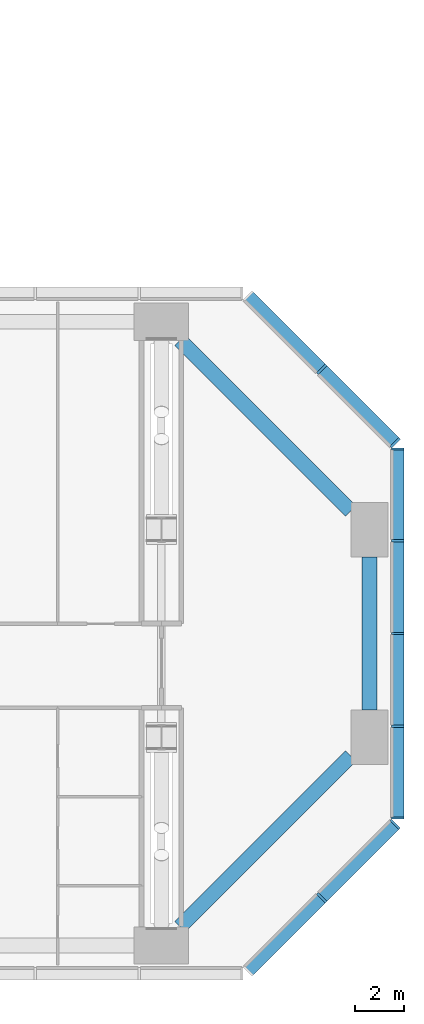
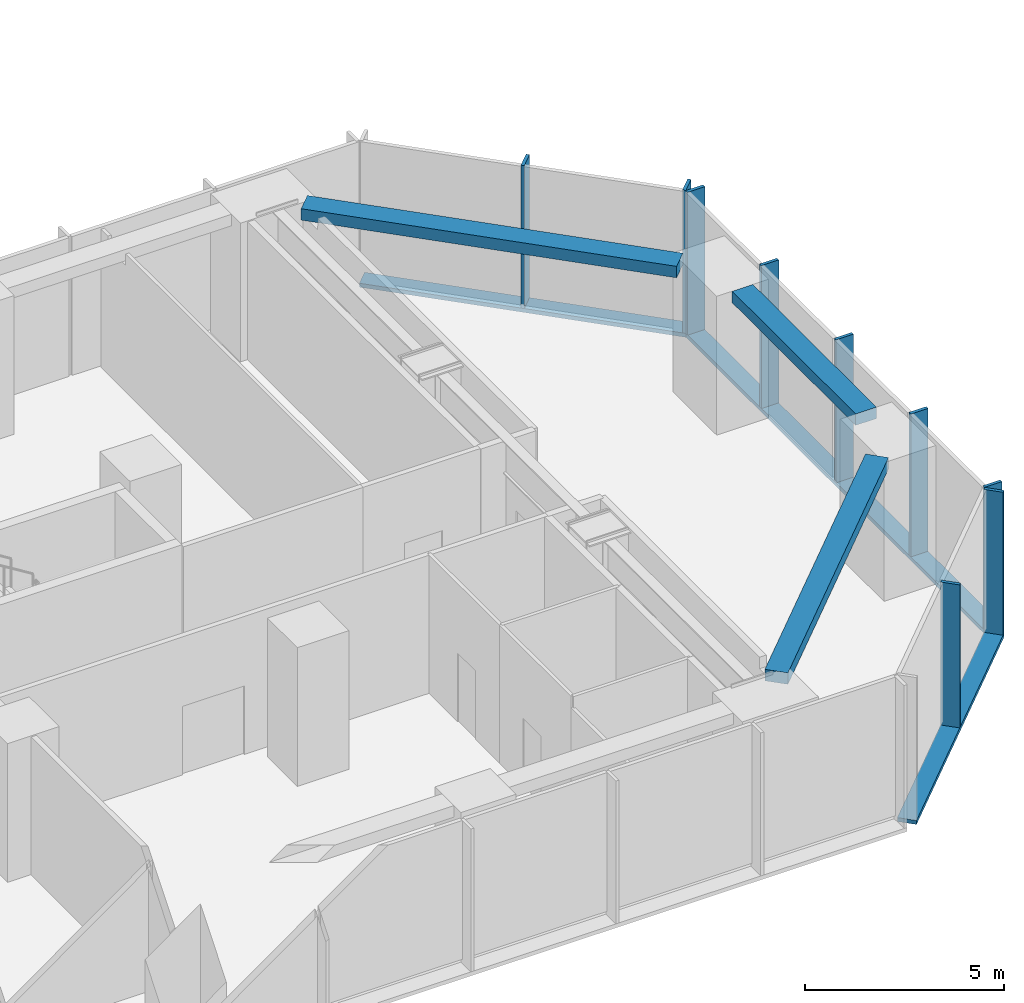
# One storey, part 5 of 18: 12 members, 3 beams, 3 elements without a shape of their own.
"""IFC4 building model written with IfcOpenShell, lengths in metres."""

from ifc_helpers import new_model, si_unit, direction, frame, origin, origin_2d, place, context, subcontext, project, spatial, rectangle, extrude, material, material_profile, profile_set, type_object, element, aggregate, save


model = new_model("IFC4")

# Units and contexts
model_context = context("Model", 3, precision=1e-05, world=origin(), true_north=direction((0.0, 1.0)))
body_context = subcontext(model_context, "Body", "Model", "MODEL_VIEW")
ifc_project = project(units=[si_unit("LENGTHUNIT", "METRE"), si_unit("AREAUNIT", "SQUARE_METRE"), si_unit("VOLUMEUNIT", "CUBIC_METRE"), si_unit("PLANEANGLEUNIT", "RADIAN"), si_unit("MASSUNIT", "GRAM", prefix="KILO")], contexts=[model_context])

# Site, building, storey
site_placement = place(None, origin())
site = spatial("IfcSite", under=ifc_project, at=site_placement, CompositionType="ELEMENT")
building_placement = place(site_placement, origin())
building = spatial("IfcBuilding", under=site, at=building_placement, Name="Brevane Broadcast Tower", CompositionType="ELEMENT")
storey_placement = place(building_placement, frame((0.0, 0.0, 27.5)))
storey = spatial("IfcBuildingStorey", under=building, at=storey_placement, Name="L04", CompositionType="ELEMENT", Elevation=27.5)

# Curtain wall, members
ifc_material_1 = material(Name="Aluminium 6063-T6 bronze anodised", Category="aluminium")
curtain_wall_type = type_object("IfcCurtainWallType", Name="CW-2 curtain wall", PredefinedType="NOTDEFINED", material=ifc_material_1)
curtain_wall_1_placement = place(storey_placement, origin())
curtain_wall_1 = element("IfcCurtainWall", 1, at=curtain_wall_1_placement, inside=storey, type_object=curtain_wall_type, Name="CW-2 podium base unit L04 south-east chamfer", PredefinedType="NOTDEFINED")
ifc_material_profile_1 = material_profile(ifc_material_1, rectangle(XDim=0.5, YDim=0.090087890625, at=origin_2d()), Name="RECT 90x500")
ifc_profile_set_1 = profile_set([ifc_material_profile_1], Name="Aluminium 6063-T6 bronze anodised")
member_type_1 = type_object("IfcMemberType", Name="CW-2 mullion 90x500", PredefinedType="MULLION", material=ifc_profile_set_1)
member_1_placement = place(storey_placement, frame((65.27685546875, 1.92333984375, -0.1298828125), z_axis=(0.0, 0.0, 1.0), x_axis=(-0.707106781187, 0.707106781187, 0.0)))
member_1 = element("IfcMember", 2, at=member_1_placement, type_object=member_type_1, Name="CW-2 mullion", PredefinedType="MULLION", context=body_context, shape_type="SweptSolid", body=[
    extrude(rectangle(XDim=0.5, YDim=0.090087890625, at=origin_2d()), origin(), (0.0, 0.0, 1.0), 4.3798828125),
])
member_2_placement = place(storey_placement, frame((68.244873046875, 4.891357421875, -0.1298828125), z_axis=(0.0, 0.0, 1.0), x_axis=(-0.707106781187, 0.707106781187, 0.0)))
member_2 = element("IfcMember", 3, at=member_2_placement, type_object=member_type_1, Name="CW-2 mullion", PredefinedType="MULLION", context=body_context, shape_type="SweptSolid", body=[
    extrude(rectangle(XDim=0.5, YDim=0.090087890625, at=origin_2d()), origin(), (0.0, 0.0, 1.0), 4.3798828125),
])

curtain_wall_2_placement = place(storey_placement, origin())
curtain_wall_2 = element("IfcCurtainWall", 4, at=curtain_wall_2_placement, inside=storey, type_object=curtain_wall_type, Name="CW-2 podium base unit L04 east end", PredefinedType="NOTDEFINED")
member_3_placement = place(storey_placement, frame((68.35009765625, 5.14501953125, -0.1298828125), z_axis=(0.0, 0.0, 1.0), x_axis=(-1.0, 0.0, 0.0)))
member_3 = element("IfcMember", 5, at=member_3_placement, type_object=member_type_1, Name="CW-2 mullion", PredefinedType="MULLION", context=body_context, shape_type="SweptSolid", body=[
    extrude(rectangle(XDim=0.5, YDim=0.090087890625, at=origin_2d()), origin(), (0.0, 0.0, 1.0), 4.3798828125),
])
member_4_placement = place(storey_placement, frame((68.35009765625, 8.85009765625, -0.1298828125), z_axis=(0.0, 0.0, 1.0), x_axis=(-1.0, 0.0, 0.0)))
member_4 = element("IfcMember", 6, at=member_4_placement, type_object=member_type_1, Name="CW-2 mullion", PredefinedType="MULLION", context=body_context, shape_type="SweptSolid", body=[
    extrude(rectangle(XDim=0.5, YDim=0.090087890625, at=origin_2d()), origin(), (0.0, 0.0, 1.0), 4.3798828125),
])
member_5_placement = place(storey_placement, frame((68.35009765625, 12.60009765625, -0.1298828125), z_axis=(0.0, 0.0, 1.0), x_axis=(-1.0, 0.0, 0.0)))
member_5 = element("IfcMember", 7, at=member_5_placement, type_object=member_type_1, Name="CW-2 mullion", PredefinedType="MULLION", context=body_context, shape_type="SweptSolid", body=[
    extrude(rectangle(XDim=0.5, YDim=0.090087890625, at=origin_2d()), origin(), (0.0, 0.0, 1.0), 4.3798828125),
])
member_6_placement = place(storey_placement, frame((68.35009765625, 16.35009765625, -0.1298828125), z_axis=(0.0, 0.0, 1.0), x_axis=(-1.0, 0.0, 0.0)))
member_6 = element("IfcMember", 8, at=member_6_placement, type_object=member_type_1, Name="CW-2 mullion", PredefinedType="MULLION", context=body_context, shape_type="SweptSolid", body=[
    extrude(rectangle(XDim=0.5, YDim=0.090087890625, at=origin_2d()), origin(), (0.0, 0.0, 1.0), 4.3798828125),
])
member_7_placement = place(storey_placement, frame((68.35009765625, 20.054931640625, -0.1298828125), z_axis=(0.0, 0.0, 1.0), x_axis=(-1.0, 0.0, 0.0)))
member_7 = element("IfcMember", 9, at=member_7_placement, type_object=member_type_1, Name="CW-2 mullion", PredefinedType="MULLION", context=body_context, shape_type="SweptSolid", body=[
    extrude(rectangle(XDim=0.5, YDim=0.090087890625, at=origin_2d()), origin(), (0.0, 0.0, 1.0), 4.3798828125),
])

curtain_wall_3_placement = place(storey_placement, origin())
curtain_wall_3 = element("IfcCurtainWall", 10, at=curtain_wall_3_placement, inside=storey, type_object=curtain_wall_type, Name="CW-2 podium base unit L04 north-east chamfer", PredefinedType="NOTDEFINED")
member_8_placement = place(storey_placement, frame((68.244873046875, 20.30859375, -0.1298828125), z_axis=(0.0, 0.0, 1.0), x_axis=(-0.707106781187, -0.707106781187, 0.0)))
member_8 = element("IfcMember", 11, at=member_8_placement, type_object=member_type_1, Name="CW-2 mullion", PredefinedType="MULLION", context=body_context, shape_type="SweptSolid", body=[
    extrude(rectangle(XDim=0.5, YDim=0.090087890625, at=origin_2d()), origin(), (0.0, 0.0, 1.0), 4.3798828125),
])
member_9_placement = place(storey_placement, frame((65.27685546875, 23.27685546875, -0.1298828125), z_axis=(0.0, 0.0, 1.0), x_axis=(-0.707106781187, -0.707106781187, 0.0)))
member_9 = element("IfcMember", 12, at=member_9_placement, type_object=member_type_1, Name="CW-2 mullion", PredefinedType="MULLION", context=body_context, shape_type="SweptSolid", body=[
    extrude(rectangle(XDim=0.5, YDim=0.090087890625, at=origin_2d()), origin(), (0.0, 0.0, 1.0), 4.3798828125),
])

# Member
ifc_material_profile_2 = material_profile(ifc_material_1, rectangle(XDim=0.5, YDim=0.1201171875, at=origin_2d()), Name="RECT 120x500")
ifc_profile_set_2 = profile_set([ifc_material_profile_2], Name="Aluminium 6063-T6 bronze anodised")
member_type_2 = type_object("IfcMemberType", Name="CW-2 transom 120x500", PredefinedType="USERDEFINED", material=ifc_profile_set_2)
member_10_placement = place(storey_placement, frame((62.27685546875, -1.07666015625, -0.18994140625), z_axis=(0.707106781187, 0.707106781187, 0.0), x_axis=(-0.707106781187, 0.707106781187, 0.0)))
member_10 = element("IfcMember", 13, at=member_10_placement, type_object=member_type_2, Name="CW-2 transom", ObjectType="TRANSOM", PredefinedType="USERDEFINED", context=body_context, shape_type="SweptSolid", body=[
    extrude(rectangle(XDim=0.5, YDim=0.1201171875, at=origin_2d()), origin(), (0.0, 0.0, 1.0), 8.4853515625),
])

aggregate(curtain_wall_1, [member_1, member_2, member_10])

member_11_placement = place(storey_placement, frame((68.35009765625, 5.10009765625, -0.18994140625), z_axis=(0.0, 1.0, 0.0), x_axis=(-1.0, 0.0, 0.0)))
member_11 = element("IfcMember", 14, at=member_11_placement, type_object=member_type_2, Name="CW-2 transom", ObjectType="TRANSOM", PredefinedType="USERDEFINED", context=body_context, shape_type="SweptSolid", body=[
    extrude(rectangle(XDim=0.5, YDim=0.1201171875, at=origin_2d()), origin(), (0.0, 0.0, 1.0), 15.0),
])

aggregate(curtain_wall_2, [member_3, member_4, member_5, member_6, member_7, member_11])

member_12_placement = place(storey_placement, frame((68.27685546875, 20.27685546875, -0.18994140625), z_axis=(-0.707106781187, 0.707106781187, 0.0), x_axis=(-0.707106781187, -0.707106781187, 0.0)))
member_12 = element("IfcMember", 15, at=member_12_placement, type_object=member_type_2, Name="CW-2 transom", ObjectType="TRANSOM", PredefinedType="USERDEFINED", context=body_context, shape_type="SweptSolid", body=[
    extrude(rectangle(XDim=0.5, YDim=0.1201171875, at=origin_2d()), origin(), (0.0, 0.0, 1.0), 8.4853515625),
])

aggregate(curtain_wall_3, [member_8, member_9, member_12])

# Beams
ifc_material_2 = material(Name="Concrete C40/50", Category="concrete")
ifc_material_profile_3 = material_profile(ifc_material_2, rectangle(XDim=0.60009765625, YDim=0.35009765625, at=origin_2d()), Name="RC 600x350")
ifc_profile_set_3 = profile_set([ifc_material_profile_3], Name="Concrete C40/50")
beam_type = type_object("IfcBeamType", Name="RC SPANDREL BEAM 600x350 C40/50", PredefinedType="SPANDREL", material=ifc_profile_set_3)
beam_1_placement = place(storey_placement, frame((59.550048828125, 0.75, 4.074951171875), z_axis=(0.707106781187, 0.707106781187, 0.0), x_axis=(-0.707106781187, 0.707106781187, 0.0)))
element("IfcBeam", 16, at=beam_1_placement, inside=storey, type_object=beam_type, Name="EB1 L04-5", PredefinedType="SPANDREL", context=body_context, shape_type="SweptSolid", body=[
    extrude(rectangle(XDim=0.60009765625, YDim=0.35009765625, at=origin_2d()), origin(), (0.0, 0.0, 1.0), 9.758056640625),
])
beam_2_placement = place(storey_placement, frame((67.199951171875, 9.5, 4.074951171875), z_axis=(0.0, 1.0, 0.0), x_axis=(-1.0, 0.0, 0.0)))
element("IfcBeam", 17, at=beam_2_placement, inside=storey, type_object=beam_type, Name="EB1 L04-6", PredefinedType="SPANDREL", context=body_context, shape_type="SweptSolid", body=[
    extrude(rectangle(XDim=0.60009765625, YDim=0.35009765625, at=origin_2d()), origin(), (0.0, 0.0, 1.0), 6.199951171875),
])
beam_3_placement = place(storey_placement, frame((66.449951171875, 17.550048828125, 4.074951171875), z_axis=(-0.707106781187, 0.707106781187, 0.0), x_axis=(-0.707106781187, -0.707106781187, 0.0)))
element("IfcBeam", 18, at=beam_3_placement, inside=storey, type_object=beam_type, Name="EB1 L04-7", PredefinedType="SPANDREL", context=body_context, shape_type="SweptSolid", body=[
    extrude(rectangle(XDim=0.60009765625, YDim=0.35009765625, at=origin_2d()), origin(), (0.0, 0.0, 1.0), 9.758056640625),
])

save(model, "model.ifc")
